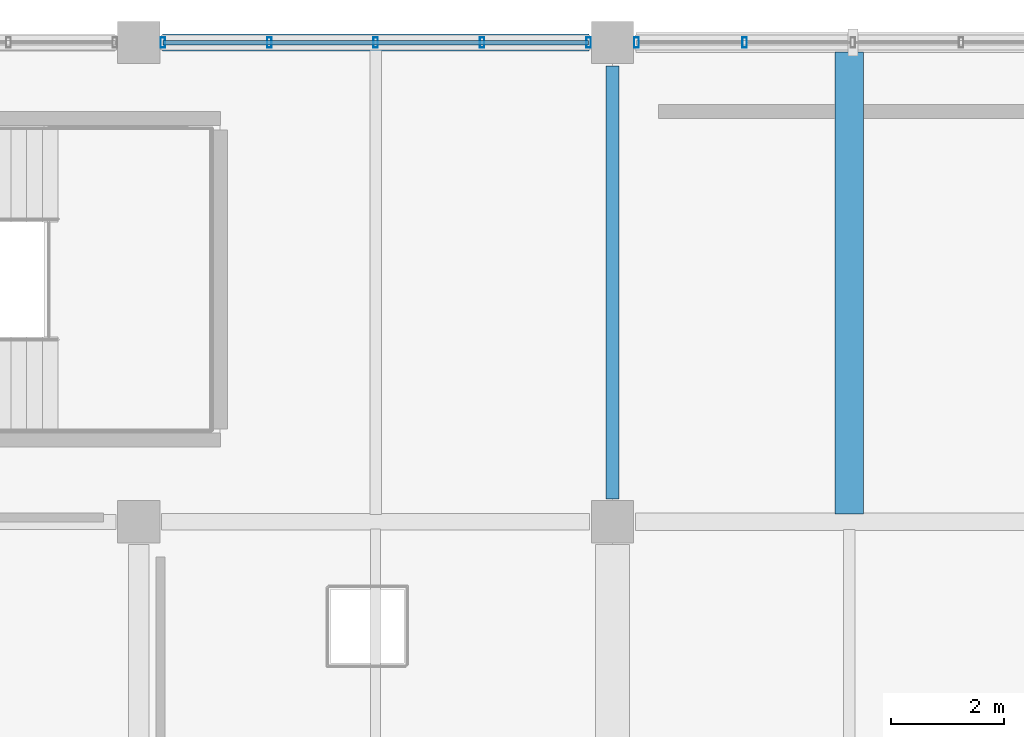
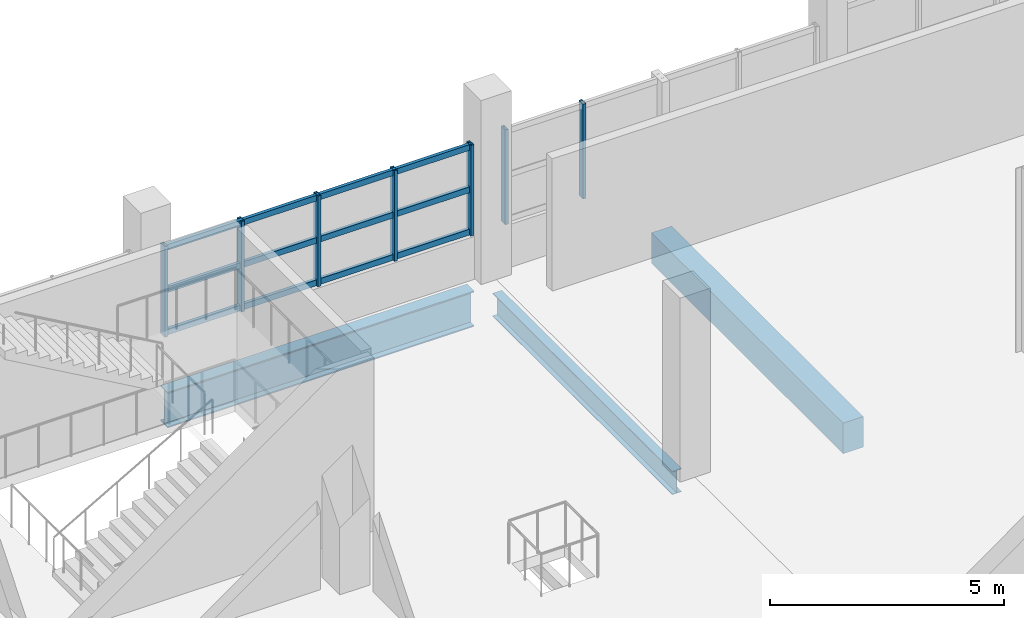
# One storey, part 76 of 117: 10 members, 3 beams, 2 elements without a shape of their own.
"""IFC4 building model written with IfcOpenShell, lengths in metres."""

from ifc_helpers import new_model, si_unit, direction, frame, origin, origin_2d, place, context, subcontext, project, spatial, rectangle, hollow_rectangle, i_section, extrude, material, material_profile, profile_set, type_object, element, aggregate, save


model = new_model("IFC4")

# Units and contexts
model_context = context("Model", 3, precision=1e-05, world=origin(), true_north=direction((0.0, 1.0)))
body_context = subcontext(model_context, "Body", "Model", "MODEL_VIEW")
ifc_project = project(units=[si_unit("LENGTHUNIT", "METRE"), si_unit("AREAUNIT", "SQUARE_METRE"), si_unit("VOLUMEUNIT", "CUBIC_METRE"), si_unit("PLANEANGLEUNIT", "RADIAN"), si_unit("MASSUNIT", "GRAM", prefix="KILO")], contexts=[model_context])

# Site, building, storey
site_placement = place(None, origin())
site = spatial("IfcSite", under=ifc_project, at=site_placement, CompositionType="ELEMENT")
building_placement = place(site_placement, origin())
building = spatial("IfcBuilding", under=site, at=building_placement, Name="Solvento Point Concert Hall", CompositionType="ELEMENT")
storey_placement = place(building_placement, frame((0.0, 0.0, 5.39990234375)))
storey = spatial("IfcBuildingStorey", under=building, at=storey_placement, Name="L01", CompositionType="ELEMENT", Elevation=5.39990234375)

# Beams
ifc_material_1 = material(Name="Concrete C35/45", Category="concrete")
ifc_material_profile_1 = material_profile(ifc_material_1, rectangle(XDim=0.5, YDim=0.800048828125, at=origin_2d()), Name="RC-BM-500X800")
ifc_profile_set_1 = profile_set([ifc_material_profile_1], Name="Concrete C35/45")
beam_type_1 = type_object("IfcBeamType", Name="Beam_RC_500x800", PredefinedType="BEAM", material=ifc_profile_set_1)
beam_1_placement = place(storey_placement, frame((28.199951171875, 127.638916015625, -0.683837890625), z_axis=(0.0, 1.0, 0.0), x_axis=(-1.0, 0.0, 0.0)))
element("IfcBeam", 1, at=beam_1_placement, inside=storey, type_object=beam_type_1, Name="Secondary floor joist B-63 L01", PredefinedType="BEAM", context=body_context, shape_type="SweptSolid", body=[
    extrude(rectangle(XDim=0.5, YDim=0.800048828125, at=origin_2d()), origin(), (0.0, 0.0, 1.0), 8.195556640625),
])
ifc_material_2 = material(Name="Structural Steel ASTM A992 Grade 50", Category="steel")
ifc_material_profile_2 = material_profile(ifc_material_2, i_section(OverallWidth=0.228515625, OverallDepth=0.60791015625, WebThickness=0.01123046875, FlangeThickness=0.017333984375, at=origin_2d()), Name="W24X76")
ifc_profile_set_2 = profile_set([ifc_material_profile_2], Name="Structural Steel ASTM A992 Grade 50")
beam_type_2 = type_object("IfcBeamType", Name="Beam_W24X76", PredefinedType="BEAM", material=ifc_profile_set_2)
beam_2_placement = place(storey_placement, frame((24.0, 127.904052734375, -0.587890625), z_axis=(0.0, 1.0, 0.0), x_axis=(-1.0, 0.0, 0.0)))
element("IfcBeam", 2, at=beam_2_placement, inside=storey, type_object=beam_type_2, Name="Primary girder B-42 L01", PredefinedType="BEAM", context=body_context, shape_type="SweptSolid", body=[
    extrude(i_section(OverallWidth=0.228515625, OverallDepth=0.60791015625, WebThickness=0.01123046875, FlangeThickness=0.017333984375, at=origin_2d()), origin(), (0.0, 0.0, 1.0), 7.677001953125),
])
ifc_material_3 = material(Name="Structural Steel ASTM A992 Grade 50", Category="steel")
ifc_material_profile_3 = material_profile(ifc_material_3, i_section(OverallWidth=0.3076171875, OverallDepth=0.927001953125, WebThickness=0.019287109375, FlangeThickness=0.031982421875, at=origin_2d()), Name="W36X194")
ifc_profile_set_3 = profile_set([ifc_material_profile_3], Name="Structural Steel ASTM A992 Grade 50")
beam_type_3 = type_object("IfcBeamType", Name="Girder_W36X194", PredefinedType="USERDEFINED", material=ifc_profile_set_3)
beam_3_placement = place(storey_placement, frame((16.01904296875, 136.0, -0.747314453125), z_axis=(1.0, 0.0, 0.0), x_axis=(0.0, 1.0, 0.0)))
element("IfcBeam", 3, at=beam_3_placement, inside=storey, type_object=beam_type_3, Name="Primary girder B-61 L01", ObjectType="GIRDER", PredefinedType="USERDEFINED", context=body_context, shape_type="SweptSolid", body=[
    extrude(i_section(OverallWidth=0.3076171875, OverallDepth=0.927001953125, WebThickness=0.019287109375, FlangeThickness=0.031982421875, at=origin_2d()), origin(), (0.0, 0.0, 1.0), 7.56201171875),
])

# Curtain wall, members
ifc_material_4 = material(Name="Anodized Bronze Aluminium", Category="aluminium")
curtain_wall_type = type_object("IfcCurtainWallType", Name="CurtainWall_CourtPilotis", PredefinedType="USERDEFINED", material=ifc_material_4)
curtain_wall_1_placement = place(storey_placement, origin())
curtain_wall_1 = element("IfcCurtainWall", 4, at=curtain_wall_1_placement, inside=storey, type_object=curtain_wall_type, Name="Unitised curtain wall CW-96 UCW-L01-125", ObjectType="UNITISED CURTAIN WALL", PredefinedType="USERDEFINED")
ifc_material_5 = material(Name="Anodized Bronze Aluminium", Category="aluminium")
ifc_material_profile_4 = material_profile(ifc_material_5, hollow_rectangle(XDim=0.080078125, YDim=0.179931640625, WallThickness=0.00390625, at=origin_2d()), Name="CW-MUL-80X180")
ifc_profile_set_4 = profile_set([ifc_material_profile_4], Name="Anodized Bronze Aluminium")
member_type_1 = type_object("IfcMemberType", Name="Mullion_80x180", PredefinedType="MULLION", material=ifc_profile_set_4)
member_1_placement = place(storey_placement, frame((16.02490234375, 136.0, 1.1201171875), z_axis=(0.0, 0.0, 1.0), x_axis=(1.0, 0.0, 0.0)))
member_1 = element("IfcMember", 5, at=member_1_placement, type_object=member_type_1, Name="Curtain wall mullion ML-01", PredefinedType="MULLION", context=body_context, shape_type="SweptSolid", body=[
    extrude(hollow_rectangle(XDim=0.080078125, YDim=0.179931640625, WallThickness=0.00390625, at=origin_2d()), origin(), (0.0, 0.0, 1.0), 2.367919921875),
])
member_2_placement = place(storey_placement, frame((17.91259765625, 136.0, 1.1201171875), z_axis=(0.0, 0.0, 1.0), x_axis=(1.0, 0.0, 0.0)))
member_2 = element("IfcMember", 6, at=member_2_placement, type_object=member_type_1, Name="Curtain wall mullion ML-01", PredefinedType="MULLION", context=body_context, shape_type="SweptSolid", body=[
    extrude(hollow_rectangle(XDim=0.080078125, YDim=0.179931640625, WallThickness=0.00390625, at=origin_2d()), origin(), (0.0, 0.0, 1.0), 2.367919921875),
])
member_3_placement = place(storey_placement, frame((19.800048828125, 136.0, 1.1201171875), z_axis=(0.0, 0.0, 1.0), x_axis=(1.0, 0.0, 0.0)))
member_3 = element("IfcMember", 7, at=member_3_placement, type_object=member_type_1, Name="Curtain wall mullion ML-01", PredefinedType="MULLION", context=body_context, shape_type="SweptSolid", body=[
    extrude(hollow_rectangle(XDim=0.080078125, YDim=0.179931640625, WallThickness=0.00390625, at=origin_2d()), origin(), (0.0, 0.0, 1.0), 2.367919921875),
])
member_4_placement = place(storey_placement, frame((21.6875, 136.0, 1.1201171875), z_axis=(0.0, 0.0, 1.0), x_axis=(1.0, 0.0, 0.0)))
member_4 = element("IfcMember", 8, at=member_4_placement, type_object=member_type_1, Name="Curtain wall mullion ML-01", PredefinedType="MULLION", context=body_context, shape_type="SweptSolid", body=[
    extrude(hollow_rectangle(XDim=0.080078125, YDim=0.179931640625, WallThickness=0.00390625, at=origin_2d()), origin(), (0.0, 0.0, 1.0), 2.367919921875),
])
member_5_placement = place(storey_placement, frame((23.574951171875, 136.0, 1.1201171875), z_axis=(0.0, 0.0, 1.0), x_axis=(1.0, 0.0, 0.0)))
member_5 = element("IfcMember", 9, at=member_5_placement, type_object=member_type_1, Name="Curtain wall mullion ML-01", PredefinedType="MULLION", context=body_context, shape_type="SweptSolid", body=[
    extrude(hollow_rectangle(XDim=0.080078125, YDim=0.179931640625, WallThickness=0.00390625, at=origin_2d()), origin(), (0.0, 0.0, 1.0), 2.367919921875),
])

curtain_wall_2_placement = place(storey_placement, origin())
curtain_wall_2 = element("IfcCurtainWall", 10, at=curtain_wall_2_placement, inside=storey, type_object=curtain_wall_type, Name="Unitised curtain wall CW-96 UCW-L01-126", ObjectType="UNITISED CURTAIN WALL", PredefinedType="USERDEFINED")
member_6_placement = place(storey_placement, frame((24.425048828125, 136.0, 1.1201171875), z_axis=(0.0, 0.0, 1.0), x_axis=(1.0, 0.0, 0.0)))
member_6 = element("IfcMember", 11, at=member_6_placement, type_object=member_type_1, Name="Curtain wall mullion ML-01", PredefinedType="MULLION", context=body_context, shape_type="SweptSolid", body=[
    extrude(hollow_rectangle(XDim=0.080078125, YDim=0.179931640625, WallThickness=0.00390625, at=origin_2d()), origin(), (0.0, 0.0, 1.0), 2.473876953125),
])
member_7_placement = place(storey_placement, frame((26.34375, 136.0, 1.1201171875), z_axis=(0.0, 0.0, 1.0), x_axis=(1.0, 0.0, 0.0)))
member_7 = element("IfcMember", 12, at=member_7_placement, type_object=member_type_1, Name="Curtain wall mullion ML-01", PredefinedType="MULLION", context=body_context, shape_type="SweptSolid", body=[
    extrude(hollow_rectangle(XDim=0.080078125, YDim=0.179931640625, WallThickness=0.00390625, at=origin_2d()), origin(), (0.0, 0.0, 1.0), 2.473876953125),
])
aggregate(curtain_wall_2, [member_6, member_7])

# Member
ifc_material_6 = material(Name="Anodized Bronze Aluminium", Category="aluminium")
ifc_material_profile_5 = material_profile(ifc_material_6, hollow_rectangle(XDim=0.080078125, YDim=0.14990234375, WallThickness=0.00390625, at=origin_2d()), Name="CW-TRN-80X150")
ifc_profile_set_5 = profile_set([ifc_material_profile_5], Name="Anodized Bronze Aluminium")
member_type_2 = type_object("IfcMemberType", Name="Transom_80x150", PredefinedType="USERDEFINED", material=ifc_profile_set_5)
member_8_placement = place(storey_placement, frame((16.02490234375, 136.0, 1.2001953125), z_axis=(1.0, 0.0, 0.0), x_axis=(0.0, 1.0, 0.0)))
member_8 = element("IfcMember", 13, at=member_8_placement, type_object=member_type_2, Name="Curtain wall transom TR-01", ObjectType="TRANSOM", PredefinedType="USERDEFINED", context=body_context, shape_type="SweptSolid", body=[
    extrude(hollow_rectangle(XDim=0.080078125, YDim=0.14990234375, WallThickness=0.00390625, at=origin_2d()), origin(), (0.0, 0.0, 1.0), 7.550048828125),
])

member_9_placement = place(storey_placement, frame((16.02490234375, 136.0, 2.30419921875), z_axis=(1.0, 0.0, 0.0), x_axis=(0.0, 1.0, 0.0)))
member_9 = element("IfcMember", 14, at=member_9_placement, type_object=member_type_2, Name="Curtain wall transom TR-01", ObjectType="TRANSOM", PredefinedType="USERDEFINED", context=body_context, shape_type="SweptSolid", body=[
    extrude(hollow_rectangle(XDim=0.080078125, YDim=0.14990234375, WallThickness=0.00390625, at=origin_2d()), origin(), (0.0, 0.0, 1.0), 7.550048828125),
])

member_10_placement = place(storey_placement, frame((16.02490234375, 136.0, 3.408203125), z_axis=(1.0, 0.0, 0.0), x_axis=(0.0, 1.0, 0.0)))
member_10 = element("IfcMember", 15, at=member_10_placement, type_object=member_type_2, Name="Curtain wall transom TR-01", ObjectType="TRANSOM", PredefinedType="USERDEFINED", context=body_context, shape_type="SweptSolid", body=[
    extrude(hollow_rectangle(XDim=0.080078125, YDim=0.14990234375, WallThickness=0.00390625, at=origin_2d()), origin(), (0.0, 0.0, 1.0), 7.550048828125),
])

aggregate(curtain_wall_1, [member_1, member_2, member_3, member_4, member_5, member_8, member_9, member_10])

save(model, "model.ifc")
